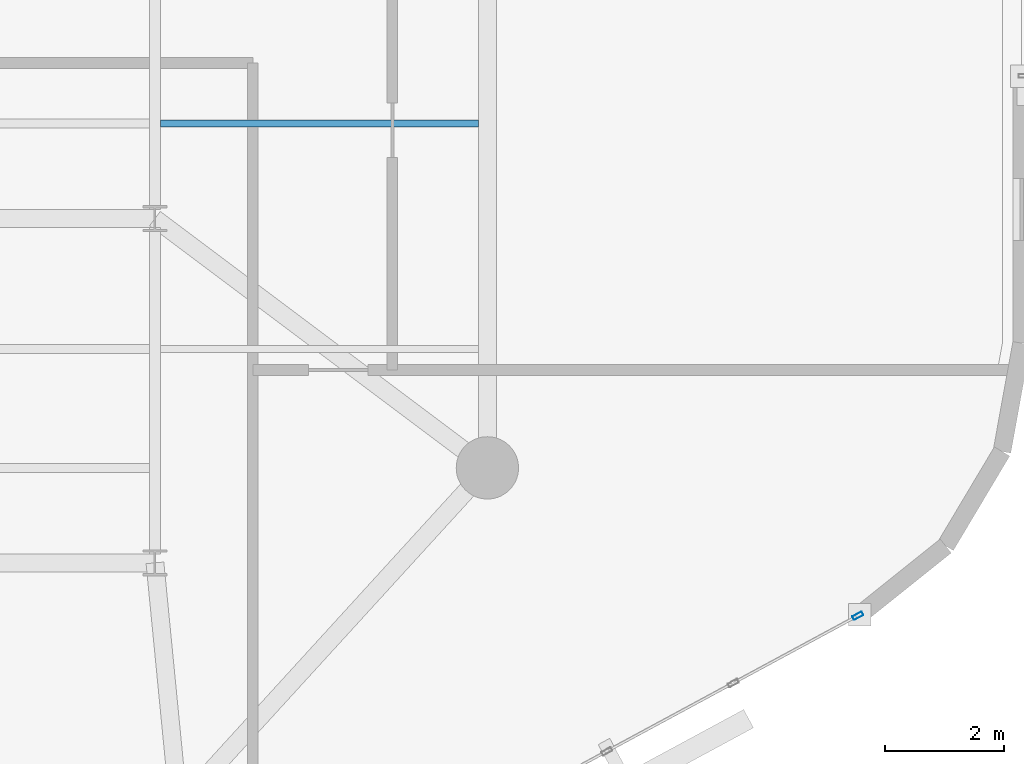
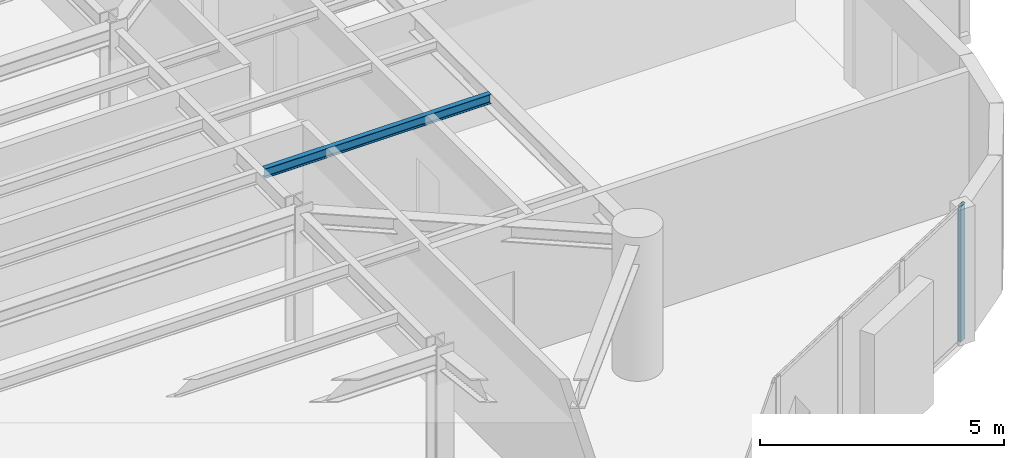
# One storey, part 3 of 14: 1 beam, 1 member, 1 element without a shape of its own.
"""IFC4 building model written with IfcOpenShell, lengths in metres."""

from ifc_helpers import new_model, si_unit, direction, frame, origin, origin_2d, place, context, subcontext, project, spatial, hollow_rectangle, i_section, extrude, material, layer, layer_set, material_profile, profile_set, type_object, element, aggregate, save


model = new_model("IFC4")

# Units and contexts
model_context = context("Model", 3, precision=1e-05, world=origin(), true_north=direction((0.0, 1.0)))
body_context = subcontext(model_context, "Body", "Model", "MODEL_VIEW")
ifc_project = project(units=[si_unit("LENGTHUNIT", "METRE"), si_unit("AREAUNIT", "SQUARE_METRE"), si_unit("VOLUMEUNIT", "CUBIC_METRE"), si_unit("PLANEANGLEUNIT", "RADIAN"), si_unit("MASSUNIT", "GRAM", prefix="KILO")], contexts=[model_context])

# Site, building, storey
site_placement = place(None, origin())
site = spatial("IfcSite", under=ifc_project, at=site_placement, CompositionType="ELEMENT")
building_placement = place(site_placement, origin())
building = spatial("IfcBuilding", under=site, at=building_placement, Name="An Khanh Terracotta Commons", CompositionType="ELEMENT")
storey_placement = place(building_placement, frame((0.0, 0.0, 230.10009765625)))
storey = spatial("IfcBuildingStorey", under=building, at=storey_placement, Name="L60", CompositionType="ELEMENT", Elevation=230.10009765625)

# Beam
ifc_material_1 = material(Name="Steel S355J2", Category="steel")
ifc_material_profile_1 = material_profile(ifc_material_1, i_section(OverallWidth=0.1201171875, OverallDepth=0.239990234375, WebThickness=0.006103515625, FlangeThickness=0.009765625, FilletRadius=0.014892578125, at=origin_2d()), Name="IPE240")
ifc_profile_set_1 = profile_set([ifc_material_profile_1], Name="Steel S355J2")
beam_type = type_object("IfcBeamType", Name="BM-IPE240", PredefinedType="JOIST", material=ifc_profile_set_1)
beam_placement = place(storey_placement, frame((54.094970703125, 21.800048828125, 3.27978515625), z_axis=(1.0, 0.0, 0.0), x_axis=(0.0, 1.0, 0.0)))
element("IfcBeam", 1, at=beam_placement, inside=storey, type_object=beam_type, Name="L60 Riverfront Composite Joist 3", PredefinedType="JOIST", context=body_context, shape_type="SweptSolid", body=[
    extrude(i_section(OverallWidth=0.1201171875, OverallDepth=0.239990234375, WebThickness=0.006103515625, FlangeThickness=0.009765625, FilletRadius=0.014892578125, at=origin_2d()), origin(), (0.0, 0.0, 1.0), 5.35498046875),
])

# Curtain wall, member
ifc_material_2 = material(Name="Anodised Aluminium 6063-T6", Category="aluminium")
ifc_layer = layer(ifc_material_2, 0.2099609375, Name="Anodised Aluminium 6063-T6")
ifc_layer_set = layer_set([ifc_layer], Name="Anodised Aluminium 6063-T6")
curtain_wall_type = type_object("IfcCurtainWallType", Name="CW-SYS-03", PredefinedType="USERDEFINED", material=ifc_layer_set)
curtain_wall_placement = place(storey_placement, origin())
curtain_wall = element("IfcCurtainWall", 2, at=curtain_wall_placement, inside=storey, type_object=curtain_wall_type, Name="L60 CW-03 Unitised Curtain Wall CW-L60-08", ObjectType="UNITISED CURTAIN WALL", PredefinedType="USERDEFINED")
ifc_material_profile_2 = material_profile(ifc_material_2, hollow_rectangle(XDim=0.070068359375, YDim=0.179931640625, WallThickness=0.00390625, InnerFilletRadius=0.00390625, OuterFilletRadius=0.008056640625, at=origin_2d()), Name="RHS180x70x4")
ifc_profile_set_2 = profile_set([ifc_material_profile_2], Name="Anodised Aluminium 6063-T6")
member_type = type_object("IfcMemberType", Name="CWM-RHS180x70x4", PredefinedType="MULLION", material=ifc_profile_set_2)
member_placement = place(storey_placement, frame((65.84130859375, 13.50927734375, 0.0), z_axis=(0.0, 0.0, 1.0), x_axis=(-0.47538088298, 0.879780095306, 0.0)))
member = element("IfcMember", 3, at=member_placement, type_object=member_type, Name="CW-03 mullion 5", PredefinedType="MULLION", context=body_context, shape_type="SweptSolid", body=[
    extrude(hollow_rectangle(XDim=0.070068359375, YDim=0.179931640625, WallThickness=0.00390625, InnerFilletRadius=0.00390625, OuterFilletRadius=0.008056640625, at=origin_2d()), origin(), (0.0, 0.0, 1.0), 3.39990234375),
])
aggregate(curtain_wall, [member])

save(model, "model.ifc")
